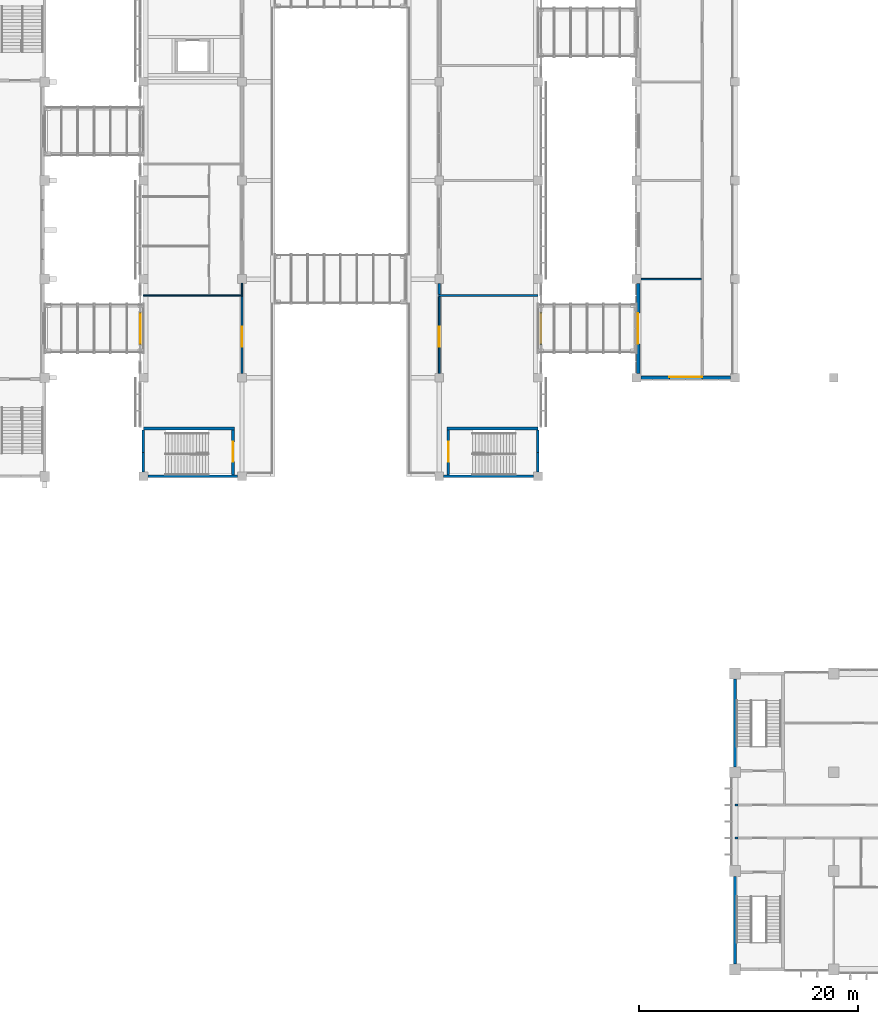
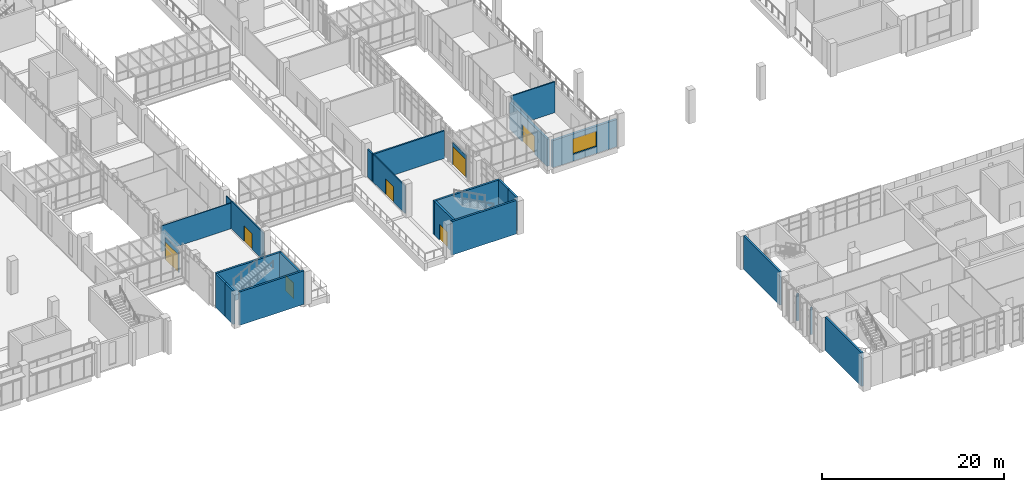
# One storey, part 58 of 88: 25 walls, 7 doors, 1 window, 8 openings.
"""IFC4 building model written with IfcOpenShell, lengths in metres."""

from ifc_helpers import new_model, si_unit, direction, frame, frame_2d, origin, place, context, subcontext, project, spatial, rectangle, extrude, material, layer, layer_set, type_object, element, fill, save


model = new_model("IFC4")

# Units and contexts
model_context = context("Model", 3, precision=1e-05, world=origin(), true_north=direction((0.0, 1.0)))
body_context = subcontext(model_context, "Body", "Model", "MODEL_VIEW")
ifc_project = project(units=[si_unit("LENGTHUNIT", "METRE"), si_unit("AREAUNIT", "SQUARE_METRE"), si_unit("VOLUMEUNIT", "CUBIC_METRE"), si_unit("PLANEANGLEUNIT", "RADIAN"), si_unit("MASSUNIT", "GRAM", prefix="KILO")], contexts=[model_context])

# Site, building, storey
site_placement = place(None, origin())
site = spatial("IfcSite", under=ifc_project, at=site_placement, CompositionType="ELEMENT")
building_placement = place(site_placement, origin())
building = spatial("IfcBuilding", under=site, at=building_placement, Name="Guidao Yard Department Store", CompositionType="ELEMENT")
storey_placement = place(building_placement, frame((0.0, 0.0, 6.0)))
storey = spatial("IfcBuildingStorey", under=building, at=storey_placement, Name="L01", CompositionType="ELEMENT", Elevation=6.0)

# Wall, opening, window
ifc_material_1 = material(Name="Concrete C30", Category="concrete")
ifc_layer_1 = layer(ifc_material_1, 0.300048828125)
ifc_layer_set_1 = layer_set([ifc_layer_1], Name="Food hall wall 300 C30")
wall_type_1 = type_object("IfcWallType", Name="Food hall wall 300 C30", PredefinedType="SOLIDWALL", material=ifc_layer_set_1)
wall_1_placement = place(storey_placement, frame((125.60009765625, 54.0, 0.0), z_axis=(0.0, 0.0, 1.0), x_axis=(-1.0, 0.0, 0.0)))
wall_1 = element("IfcWall", 1, at=wall_1_placement, inside=storey, type_object=wall_type_1, Name="Food hall wall", PredefinedType="SOLIDWALL", context=body_context, shape_type="SweptSolid", body=[
    extrude(rectangle(XDim=8.2001953125, YDim=0.300048828125, at=frame_2d((4.10009765625, 0.0))), origin(), (0.0, 0.0, 1.0), 3.64990234375),
])
opening_1_placement = place(wall_1_placement, frame((2.60009765625, 0.0, 0.89990234375)))
opening_1 = element("IfcOpeningElement", 2, at=opening_1_placement, cuts=wall_1, Name="Opening WN-L01-E23", PredefinedType="OPENING", context=body_context, shape_type="SweptSolid", body=[
    extrude(rectangle(XDim=3.0, YDim=2.10009765625, at=frame_2d((1.5, 1.050048828125))), frame((0.0, 0.159912109375, 0.0), z_axis=(0.0, -1.0, 0.0), x_axis=(1.0, 0.0, 0.0)), (0.0, 0.0, 1.0), 0.320068359375),
])
ifc_material_2 = material(Name="Laminated glass in aluminium frame", Category="aluminium")
window_type = type_object("IfcWindowType", Name="Punched window PW2 3000 x 2100 fixed", PartitioningType="SINGLE_PANEL", PredefinedType="WINDOW", material=ifc_material_2)
window_placement = place(opening_1_placement, origin())
window = element("IfcWindow", 3, at=window_placement, inside=storey, type_object=window_type, Name="Punched window", OverallHeight=2.10009765625, OverallWidth=3.0, PartitioningType="SINGLE_PANEL", PredefinedType="WINDOW", context=body_context, shape_type="SweptSolid", body=[
    extrude(rectangle(XDim=3.0, YDim=2.10009765625, at=frame_2d((1.5, 1.050048828125))), frame((0.0, -0.030029296875, 0.0), z_axis=(0.0, -1.0, 0.0), x_axis=(1.0, 0.0, 0.0)), (0.0, 0.0, 1.0), 0.06005859375),
])
fill(opening_1, window)

# Wall, opening, door
wall_2_placement = place(storey_placement, frame((117.14990234375, 54.39990234375, 0.0), z_axis=(0.0, 0.0, 1.0), x_axis=(0.0, 1.0, 0.0)))
wall_2 = element("IfcWall", 4, at=wall_2_placement, inside=storey, type_object=wall_type_1, Name="Food hall wall", PredefinedType="SOLIDWALL", context=body_context, shape_type="SweptSolid", body=[
    extrude(rectangle(XDim=8.2001953125, YDim=0.300048828125, at=frame_2d((4.10009765625, 0.0))), origin(), (0.0, 0.0, 1.0), 3.64990234375),
])
opening_2_placement = place(wall_2_placement, frame((2.699951171875, 0.0, 0.0)))
opening_2 = element("IfcOpeningElement", 5, at=opening_2_placement, cuts=wall_2, Name="Opening L01-856", PredefinedType="OPENING", context=body_context, shape_type="SweptSolid", body=[
    extrude(rectangle(XDim=2.800048828125, YDim=2.39990234375, at=frame_2d((1.39990234375, 1.199951171875))), frame((0.0, 0.159912109375, 0.0), z_axis=(0.0, -1.0, 0.0), x_axis=(1.0, 0.0, 0.0)), (0.0, 0.0, 1.0), 0.320068359375),
])
ifc_material_3 = material(Name="Fire-resistant glass in steel frame", Category="steel")
door_type_1 = type_object("IfcDoorType", Name="Bridge door BD1 2800 x 2400 fire-rated glazed double leaf", OperationType="DOUBLE_DOOR_SINGLE_SWING", PredefinedType="DOOR", material=ifc_material_3)
door_1_placement = place(opening_2_placement, origin())
door_1 = element("IfcDoor", 6, at=door_1_placement, inside=storey, type_object=door_type_1, Name="Bridge door BR06", OperationType="DOUBLE_DOOR_SINGLE_SWING", OverallHeight=2.39990234375, OverallWidth=2.800048828125, PredefinedType="DOOR", context=body_context, shape_type="SweptSolid", body=[
    extrude(rectangle(XDim=2.800048828125, YDim=2.39990234375, at=frame_2d((1.39990234375, 1.199951171875))), frame((0.0, 0.02490234375, 0.0), z_axis=(0.0, -1.0, 0.0), x_axis=(1.0, 0.0, 0.0)), (0.0, 0.0, 1.0), 0.050048828125),
])
fill(opening_2, door_1)

ifc_material_4 = material(Name="Aluminium 6063-T5", Category="aluminium")
ifc_layer_2 = layer(ifc_material_4, 0.1201171875)
ifc_layer_set_2 = layer_set([ifc_layer_2], Name="Glazing frame wall 120")
wall_type_2 = type_object("IfcWallType", Name="Glazing frame wall 120", PredefinedType="STANDARD", material=ifc_layer_set_2)
wall_3_placement = place(storey_placement, frame((71.719970703125, 57.030029296875, 0.0), z_axis=(0.0, 0.0, 1.0), x_axis=(0.0, 1.0, 0.0)))
wall_3 = element("IfcWall", 7, at=wall_3_placement, inside=storey, type_object=wall_type_2, Name="Frame wall for Bridge door BR01", PredefinedType="STANDARD", context=body_context, shape_type="SweptSolid", body=[
    extrude(rectangle(XDim=2.93994140625, YDim=0.1201171875, at=frame_2d((1.469970703125, 0.0))), origin(), (0.0, 0.0, 1.0), 2.969970703125),
])
opening_3_placement = place(wall_3_placement, frame((0.070068359375, 0.0, 0.0)))
opening_3 = element("IfcOpeningElement", 8, at=opening_3_placement, cuts=wall_3, Name="Opening L01-852", PredefinedType="OPENING", context=body_context, shape_type="SweptSolid", body=[
    extrude(rectangle(XDim=2.800048828125, YDim=2.39990234375, at=frame_2d((1.39990234375, 1.199951171875))), frame((0.0, 0.070068359375, 0.0), z_axis=(0.0, -1.0, 0.0), x_axis=(1.0, 0.0, 0.0)), (0.0, 0.0, 1.0), 0.14013671875),
])
door_2_placement = place(opening_3_placement, origin())
door_2 = element("IfcDoor", 9, at=door_2_placement, inside=storey, type_object=door_type_1, Name="Bridge door BR01", OperationType="DOUBLE_DOOR_SINGLE_SWING", OverallHeight=2.39990234375, OverallWidth=2.800048828125, PredefinedType="DOOR", context=body_context, shape_type="SweptSolid", body=[
    extrude(rectangle(XDim=2.800048828125, YDim=2.39990234375, at=frame_2d((1.39990234375, 1.199951171875))), frame((0.0, 0.02490234375, 0.0), z_axis=(0.0, -1.0, 0.0), x_axis=(1.0, 0.0, 0.0)), (0.0, 0.0, 1.0), 0.050048828125),
])
fill(opening_3, door_2)

wall_4_placement = place(storey_placement, frame((108.280029296875, 59.969970703125, 0.0), z_axis=(0.0, 0.0, 1.0), x_axis=(0.0, -1.0, 0.0)))
wall_4 = element("IfcWall", 10, at=wall_4_placement, inside=storey, type_object=wall_type_2, Name="Frame wall for Bridge door BR06", PredefinedType="STANDARD", context=body_context, shape_type="SweptSolid", body=[
    extrude(rectangle(XDim=2.93994140625, YDim=0.1201171875, at=frame_2d((1.469970703125, 0.0))), origin(), (0.0, 0.0, 1.0), 2.969970703125),
])
opening_4_placement = place(wall_4_placement, frame((0.070068359375, 0.0, 0.0)))
opening_4 = element("IfcOpeningElement", 11, at=opening_4_placement, cuts=wall_4, Name="Opening L01-854", PredefinedType="OPENING", context=body_context, shape_type="SweptSolid", body=[
    extrude(rectangle(XDim=2.800048828125, YDim=2.39990234375, at=frame_2d((1.39990234375, 1.199951171875))), frame((0.0, 0.070068359375, 0.0), z_axis=(0.0, -1.0, 0.0), x_axis=(1.0, 0.0, 0.0)), (0.0, 0.0, 1.0), 0.14013671875),
])
door_3_placement = place(opening_4_placement, origin())
door_3 = element("IfcDoor", 12, at=door_3_placement, inside=storey, type_object=door_type_1, Name="Bridge door BR06", OperationType="DOUBLE_DOOR_SINGLE_SWING", OverallHeight=2.39990234375, OverallWidth=2.800048828125, PredefinedType="DOOR", context=body_context, shape_type="SweptSolid", body=[
    extrude(rectangle(XDim=2.800048828125, YDim=2.39990234375, at=frame_2d((1.39990234375, 1.199951171875))), frame((0.0, 0.02490234375, 0.0), z_axis=(0.0, -1.0, 0.0), x_axis=(1.0, 0.0, 0.0)), (0.0, 0.0, 1.0), 0.050048828125),
])
fill(opening_4, door_3)

# Walls
ifc_material_5 = material(Name="Gypsum board on Steel Q235 studs", Category="steel")
ifc_layer_3 = layer(ifc_material_5, 0.10009765625)
ifc_layer_set_3 = layer_set([ifc_layer_3], Name="Partition P1 100 mm gypsum board EI 30")
wall_type_3 = type_object("IfcWallType", Name="Partition P1 100 mm gypsum board EI 30", PredefinedType="PARTITIONING", material=ifc_layer_set_3)
wall_5_placement = place(storey_placement, frame((72.0, 61.5, 0.0), z_axis=(0.0, 0.0, 1.0), x_axis=(1.0, 0.0, 0.0)))
element("IfcWall", 13, at=wall_5_placement, inside=storey, type_object=wall_type_3, Name="Wall W-AL01-004", PredefinedType="PARTITIONING", context=body_context, shape_type="SweptSolid", body=[
    extrude(rectangle(XDim=9.074951171875, YDim=0.10009765625, at=frame_2d((4.53759765625, 0.0))), origin(), (0.0, 0.0, 1.0), 3.449951171875),
])
wall_6_placement = place(storey_placement, frame((81.0, 61.550048828125, 0.0), z_axis=(0.0, 0.0, 1.0), x_axis=(0.0, 1.0, 0.0)))
element("IfcWall", 14, at=wall_6_placement, inside=storey, type_object=wall_type_3, Name="Wall W-AL01-006", PredefinedType="PARTITIONING", context=body_context, shape_type="SweptSolid", body=[
    extrude(rectangle(XDim=1.050048828125, YDim=0.10009765625, at=frame_2d((0.52490234375, 0.0))), origin(), (0.0, 0.0, 1.0), 3.699951171875),
])
ifc_material_6 = material(Name="Autoclaved aerated concrete block A3.5 B06", Category="concrete")
ifc_layer_4 = layer(ifc_material_6, 0.199951171875)
ifc_layer_set_4 = layer_set([ifc_layer_4], Name="Shaft Wall 200 Autoclaved Block EI 120")
wall_type_4 = type_object("IfcWallType", Name="Shaft Wall 200 Autoclaved Block EI 120", PredefinedType="PARTITIONING", material=ifc_layer_set_4)
for number, where, z_axis, x_axis, name in (
    (15, (126.0, 12.0, 0.0), (0.0, 0.0, 1.0), (1.0, 0.0, 0.0), "pt.wall.L01.0006"),
    (16, (126.0, 15.0, 0.0), (0.0, 0.0, 1.0), (1.0, 0.0, 0.0), "pt.wall.L01.0009"),
):
    element("IfcWall", number, at=place(storey_placement, frame(where, z_axis=z_axis, x_axis=x_axis)), inside=storey, type_object=wall_type_4, Name=name, PredefinedType="PARTITIONING", context=body_context, shape_type="SweptSolid", body=[
        extrude(rectangle(XDim=0.25, YDim=0.199951171875, at=frame_2d((0.125, 0.0))), origin(), (0.0, 0.0, 1.0), 3.60009765625),
    ])
ifc_material_7 = material(Name="Concrete block MU10", Category="concrete")
ifc_layer_5 = layer(ifc_material_7, 0.199951171875)
ifc_layer_set_5 = layer_set([ifc_layer_5], Name="Shopfront Wall P4 200 mm blockwork EI 60")
wall_type_5 = type_object("IfcWallType", Name="Shopfront Wall P4 200 mm blockwork EI 60", PredefinedType="PARTITIONING", material=ifc_layer_set_5)
wall_7_placement = place(storey_placement, frame((98.925048828125, 61.5, 0.0), z_axis=(0.0, 0.0, 1.0), x_axis=(1.0, 0.0, 0.0)))
element("IfcWall", 17, at=wall_7_placement, inside=storey, type_object=wall_type_5, Name="Wall W-AL01-003", PredefinedType="PARTITIONING", context=body_context, shape_type="SweptSolid", body=[
    extrude(rectangle(XDim=9.074951171875, YDim=0.199951171875, at=frame_2d((4.53759765625, 0.0))), origin(), (0.0, 0.0, 1.0), 3.699951171875),
])
wall_8_placement = place(storey_placement, frame((99.0, 61.60009765625, 0.0), z_axis=(0.0, 0.0, 1.0), x_axis=(0.0, 1.0, 0.0)))
element("IfcWall", 18, at=wall_8_placement, inside=storey, type_object=wall_type_5, Name="Wall W-AL01-007", PredefinedType="PARTITIONING", context=body_context, shape_type="SweptSolid", body=[
    extrude(rectangle(XDim=1.0, YDim=0.199951171875, at=frame_2d((0.5, 0.0))), origin(), (0.0, 0.0, 1.0), 3.699951171875),
])
ifc_material_8 = material(Name="Concrete block MU10", Category="concrete")
ifc_layer_6 = layer(ifc_material_8, 0.14990234375)
ifc_layer_set_6 = layer_set([ifc_layer_6], Name="Wall F2 150 mm blockwork EI 60")
wall_type_6 = type_object("IfcWallType", Name="Wall F2 150 mm blockwork EI 60", PredefinedType="PARTITIONING", material=ifc_layer_set_6)
wall_9_placement = place(storey_placement, frame((117.39990234375, 63.0, 0.0), z_axis=(0.0, 0.0, 1.0), x_axis=(1.0, 0.0, 0.0)))
element("IfcWall", 19, at=wall_9_placement, inside=storey, type_object=wall_type_6, Name="Wall W-L01-3003", PredefinedType="PARTITIONING", context=body_context, shape_type="SweptSolid", body=[
    extrude(rectangle(XDim=5.525146484375, YDim=0.14990234375, at=frame_2d((2.7626953125, 0.0))), origin(), (0.0, 0.0, 1.0), 4.14990234375),
])

# Wall, opening, door
ifc_material_9 = material(Name="Concrete block MU10", Category="concrete")
ifc_layer_7 = layer(ifc_material_9, 0.14990234375)
ifc_layer_set_7 = layer_set([ifc_layer_7], Name="Wall P2 150 mm blockwork EI 60")
wall_type_7 = type_object("IfcWallType", Name="Wall P2 150 mm blockwork EI 60", PredefinedType="PARTITIONING", material=ifc_layer_set_7)
wall_10_placement = place(storey_placement, frame((81.0, 54.39990234375, 0.0), z_axis=(0.0, 0.0, 1.0), x_axis=(0.0, 1.0, 0.0)))
wall_10 = element("IfcWall", 20, at=wall_10_placement, inside=storey, type_object=wall_type_7, Name="Wall W-AL01-001", PredefinedType="PARTITIONING", context=body_context, shape_type="SweptSolid", body=[
    extrude(rectangle(XDim=7.050048828125, YDim=0.14990234375, at=frame_2d((3.52490234375, 0.0))), origin(), (0.0, 0.0, 1.0), 3.699951171875),
])
opening_5_placement = place(wall_10_placement, frame((2.449951171875, 0.0, 0.0)))
opening_5 = element("IfcOpeningElement", 21, at=opening_5_placement, cuts=wall_10, Name="Opening AL01-001", PredefinedType="OPENING", context=body_context, shape_type="SweptSolid", body=[
    extrude(rectangle(XDim=1.800048828125, YDim=2.10009765625, at=frame_2d((0.89990234375, 1.050048828125))), frame((0.0, 0.0849609375, 0.0), z_axis=(0.0, -1.0, 0.0), x_axis=(1.0, 0.0, 0.0)), (0.0, 0.0, 1.0), 0.169921875),
])
ifc_material_10 = material(Name="Steel Q235", Category="steel")
door_type_2 = type_object("IfcDoorType", Name="Door FD5 double 1800 x 2100 FD60", OperationType="DOUBLE_DOOR_SINGLE_SWING", PredefinedType="DOOR", material=ifc_material_10)
door_4_placement = place(opening_5_placement, origin())
door_4 = element("IfcDoor", 22, at=door_4_placement, inside=storey, type_object=door_type_2, Name="Door AL01-001", OperationType="DOUBLE_DOOR_SINGLE_SWING", OverallHeight=2.10009765625, OverallWidth=1.800048828125, PredefinedType="DOOR", context=body_context, shape_type="SweptSolid", body=[
    extrude(rectangle(XDim=1.800048828125, YDim=2.10009765625, at=frame_2d((0.89990234375, 1.050048828125))), frame((0.0, 0.02490234375, 0.0), z_axis=(0.0, -1.0, 0.0), x_axis=(1.0, 0.0, 0.0)), (0.0, 0.0, 1.0), 0.050048828125),
])
fill(opening_5, door_4)

wall_11_placement = place(storey_placement, frame((99.0, 54.39990234375, 0.0), z_axis=(0.0, 0.0, 1.0), x_axis=(0.0, 1.0, 0.0)))
wall_11 = element("IfcWall", 23, at=wall_11_placement, inside=storey, type_object=wall_type_7, Name="Wall W-AL01-002", PredefinedType="PARTITIONING", context=body_context, shape_type="SweptSolid", body=[
    extrude(rectangle(XDim=7.0, YDim=0.14990234375, at=frame_2d((3.5, 0.0))), origin(), (0.0, 0.0, 1.0), 3.699951171875),
])
opening_6_placement = place(wall_11_placement, frame((4.25, 0.0, 0.0), z_axis=(0.0, 0.0, 1.0), x_axis=(-1.0, 0.0, 0.0)))
opening_6 = element("IfcOpeningElement", 24, at=opening_6_placement, cuts=wall_11, Name="Opening AL01-002", PredefinedType="OPENING", context=body_context, shape_type="SweptSolid", body=[
    extrude(rectangle(XDim=1.800048828125, YDim=2.10009765625, at=frame_2d((0.89990234375, 1.050048828125))), frame((0.0, 0.0849609375, 0.0), z_axis=(0.0, -1.0, 0.0), x_axis=(1.0, 0.0, 0.0)), (0.0, 0.0, 1.0), 0.169921875),
])
door_5_placement = place(opening_6_placement, origin())
door_5 = element("IfcDoor", 25, at=door_5_placement, inside=storey, type_object=door_type_2, Name="Door AL01-002", OperationType="DOUBLE_DOOR_SINGLE_SWING", OverallHeight=2.10009765625, OverallWidth=1.800048828125, PredefinedType="DOOR", context=body_context, shape_type="SweptSolid", body=[
    extrude(rectangle(XDim=1.800048828125, YDim=2.10009765625, at=frame_2d((0.89990234375, 1.050048828125))), frame((0.0, 0.02490234375, 0.0), z_axis=(0.0, -1.0, 0.0), x_axis=(1.0, 0.0, 0.0)), (0.0, 0.0, 1.0), 0.050048828125),
])
fill(opening_6, door_5)

# Walls
ifc_material_11 = material(Name="Concrete C40", Category="concrete")
ifc_layer_8 = layer(ifc_material_11, 0.25)
ifc_layer_set_8 = layer_set([ifc_layer_8], Name="Wall RC 250 C40 stair and shaft")
wall_type_8 = type_object("IfcWallType", Name="Wall RC 250 C40 stair and shaft", PredefinedType="SHEAR", material=ifc_layer_set_8)
wall_12_placement = place(storey_placement, frame((72.39990234375, 45.0, 0.0), z_axis=(0.0, 0.0, 1.0), x_axis=(1.0, 0.0, 0.0)))
element("IfcWall", 26, at=wall_12_placement, inside=storey, type_object=wall_type_8, Name="Stair wall SG1", PredefinedType="SHEAR", context=body_context, shape_type="SweptSolid", body=[
    extrude(rectangle(XDim=8.2001953125, YDim=0.25, at=frame_2d((4.10009765625, 0.0))), origin(), (0.0, 0.0, 1.0), 4.5),
])
wall_13_placement = place(storey_placement, frame((72.0, 49.375, 0.0), z_axis=(0.0, 0.0, 1.0), x_axis=(1.0, 0.0, 0.0)))
element("IfcWall", 27, at=wall_13_placement, inside=storey, type_object=wall_type_8, Name="Stair wall SG1", PredefinedType="SHEAR", context=body_context, shape_type="SweptSolid", body=[
    extrude(rectangle(XDim=8.300048828125, YDim=0.25, at=frame_2d((4.14990234375, 0.0))), origin(), (0.0, 0.0, 1.0), 4.5),
])
wall_14_placement = place(storey_placement, frame((72.0, 45.39990234375, 0.0), z_axis=(0.0, 0.0, 1.0), x_axis=(0.0, 1.0, 0.0)))
element("IfcWall", 28, at=wall_14_placement, inside=storey, type_object=wall_type_8, Name="Stair wall SG1", PredefinedType="SHEAR", context=body_context, shape_type="SweptSolid", body=[
    extrude(rectangle(XDim=1.7880859375, YDim=0.25, at=frame_2d((0.89404296875, 0.0))), origin(), (0.0, 0.0, 1.0), 4.5),
])
wall_15_placement = place(storey_placement, frame((72.0, 47.18798828125, 0.0), z_axis=(0.0, 0.0, 1.0), x_axis=(0.0, 1.0, 0.0)))
element("IfcWall", 29, at=wall_15_placement, inside=storey, type_object=wall_type_8, Name="Stair wall SG1", PredefinedType="SHEAR", context=body_context, shape_type="SweptSolid", body=[
    extrude(rectangle(XDim=2.06201171875, YDim=0.25, at=frame_2d((1.031005859375, 0.0))), origin(), (0.0, 0.0, 1.0), 4.5),
])

# Wall, opening, door
wall_16_placement = place(storey_placement, frame((80.175048828125, 45.125, 0.0), z_axis=(0.0, 0.0, 1.0), x_axis=(0.0, 1.0, 0.0)))
wall_16 = element("IfcWall", 30, at=wall_16_placement, inside=storey, type_object=wall_type_8, Name="Stair wall SG1", PredefinedType="SHEAR", context=body_context, shape_type="SweptSolid", body=[
    extrude(rectangle(XDim=4.125, YDim=0.25, at=frame_2d((2.0625, 0.0))), origin(), (0.0, 0.0, 1.0), 4.5),
])
opening_7_placement = place(wall_16_placement, frame((3.025146484375, 0.0, 0.0), z_axis=(0.0, 0.0, 1.0), x_axis=(-1.0, 0.0, 0.0)))
opening_7 = element("IfcOpeningElement", 31, at=opening_7_placement, cuts=wall_16, Name="Opening L01-811", PredefinedType="OPENING", context=body_context, shape_type="SweptSolid", body=[
    extrude(rectangle(XDim=1.800048828125, YDim=2.10009765625, at=frame_2d((0.89990234375, 1.050048828125))), frame((0.0, 0.135009765625, 0.0), z_axis=(0.0, -1.0, 0.0), x_axis=(1.0, 0.0, 0.0)), (0.0, 0.0, 1.0), 0.27001953125),
])
ifc_material_12 = material(Name="Steel Q235", Category="steel")
door_type_3 = type_object("IfcDoorType", Name="Door fire-resisting 1800 x 2100 FD60", OperationType="DOUBLE_DOOR_SINGLE_SWING", PredefinedType="DOOR", material=ifc_material_12)
door_6_placement = place(opening_7_placement, origin())
door_6 = element("IfcDoor", 32, at=door_6_placement, inside=storey, type_object=door_type_3, Name="Stair G1 door L01", OperationType="DOUBLE_DOOR_SINGLE_SWING", OverallHeight=2.10009765625, OverallWidth=1.800048828125, PredefinedType="DOOR", context=body_context, shape_type="SweptSolid", body=[
    extrude(rectangle(XDim=1.800048828125, YDim=2.10009765625, at=frame_2d((0.89990234375, 1.050048828125))), frame((0.0, 0.02490234375, 0.0), z_axis=(0.0, -1.0, 0.0), x_axis=(1.0, 0.0, 0.0)), (0.0, 0.0, 1.0), 0.050048828125),
])
fill(opening_7, door_6)

# Walls
wall_17_placement = place(storey_placement, frame((99.39990234375, 45.0, 0.0), z_axis=(0.0, 0.0, 1.0), x_axis=(1.0, 0.0, 0.0)))
element("IfcWall", 33, at=wall_17_placement, inside=storey, type_object=wall_type_8, Name="Stair wall SG3", PredefinedType="SHEAR", context=body_context, shape_type="SweptSolid", body=[
    extrude(rectangle(XDim=8.2001953125, YDim=0.25, at=frame_2d((4.10009765625, 0.0))), origin(), (0.0, 0.0, 1.0), 4.5),
])
wall_18_placement = place(storey_placement, frame((99.699951171875, 49.375, 0.0), z_axis=(0.0, 0.0, 1.0), x_axis=(1.0, 0.0, 0.0)))
element("IfcWall", 34, at=wall_18_placement, inside=storey, type_object=wall_type_8, Name="Stair wall SG3", PredefinedType="SHEAR", context=body_context, shape_type="SweptSolid", body=[
    extrude(rectangle(XDim=8.300048828125, YDim=0.25, at=frame_2d((4.14990234375, 0.0))), origin(), (0.0, 0.0, 1.0), 4.5),
])

# Wall, opening, door
wall_19_placement = place(storey_placement, frame((99.824951171875, 45.125, 0.0), z_axis=(0.0, 0.0, 1.0), x_axis=(0.0, 1.0, 0.0)))
wall_19 = element("IfcWall", 35, at=wall_19_placement, inside=storey, type_object=wall_type_8, Name="Stair wall SG3", PredefinedType="SHEAR", context=body_context, shape_type="SweptSolid", body=[
    extrude(rectangle(XDim=4.125, YDim=0.25, at=frame_2d((2.0625, 0.0))), origin(), (0.0, 0.0, 1.0), 4.5),
])
opening_8_placement = place(wall_19_placement, frame((1.22509765625, 0.0, 0.0)))
opening_8 = element("IfcOpeningElement", 36, at=opening_8_placement, cuts=wall_19, Name="Opening L01-813", PredefinedType="OPENING", context=body_context, shape_type="SweptSolid", body=[
    extrude(rectangle(XDim=1.800048828125, YDim=2.10009765625, at=frame_2d((0.89990234375, 1.050048828125))), frame((0.0, 0.135009765625, 0.0), z_axis=(0.0, -1.0, 0.0), x_axis=(1.0, 0.0, 0.0)), (0.0, 0.0, 1.0), 0.27001953125),
])
door_7_placement = place(opening_8_placement, origin())
door_7 = element("IfcDoor", 37, at=door_7_placement, inside=storey, type_object=door_type_3, Name="Stair G3 door L01", OperationType="DOUBLE_DOOR_SINGLE_SWING", OverallHeight=2.10009765625, OverallWidth=1.800048828125, PredefinedType="DOOR", context=body_context, shape_type="SweptSolid", body=[
    extrude(rectangle(XDim=1.800048828125, YDim=2.10009765625, at=frame_2d((0.89990234375, 1.050048828125))), frame((0.0, 0.02490234375, 0.0), z_axis=(0.0, -1.0, 0.0), x_axis=(1.0, 0.0, 0.0)), (0.0, 0.0, 1.0), 0.050048828125),
])
fill(opening_8, door_7)

# Walls
wall_20_placement = place(storey_placement, frame((108.0, 45.39990234375, 0.0), z_axis=(0.0, 0.0, 1.0), x_axis=(0.0, 1.0, 0.0)))
element("IfcWall", 38, at=wall_20_placement, inside=storey, type_object=wall_type_8, Name="Stair wall SG3", PredefinedType="SHEAR", context=body_context, shape_type="SweptSolid", body=[
    extrude(rectangle(XDim=1.7880859375, YDim=0.25, at=frame_2d((0.89404296875, 0.0))), origin(), (0.0, 0.0, 1.0), 4.5),
])
wall_21_placement = place(storey_placement, frame((108.0, 47.18798828125, 0.0), z_axis=(0.0, 0.0, 1.0), x_axis=(0.0, 1.0, 0.0)))
element("IfcWall", 39, at=wall_21_placement, inside=storey, type_object=wall_type_8, Name="Stair wall SG3", PredefinedType="SHEAR", context=body_context, shape_type="SweptSolid", body=[
    extrude(rectangle(XDim=2.06201171875, YDim=0.25, at=frame_2d((1.031005859375, 0.0))), origin(), (0.0, 0.0, 1.0), 4.5),
])
for number, where, z_axis, x_axis, name in (
    (40, (126.0, 0.5, 0.0), (0.0, 0.0, 1.0), (0.0, 1.0, 0.0), "Stair wall SO1"),
    (41, (126.0, 18.5, 0.0), (0.0, 0.0, 1.0), (0.0, 1.0, 0.0), "Stair wall SO3"),
):
    element("IfcWall", number, at=place(storey_placement, frame(where, z_axis=z_axis, x_axis=x_axis)), inside=storey, type_object=wall_type_8, Name=name, PredefinedType="SHEAR", context=body_context, shape_type="SweptSolid", body=[
        extrude(rectangle(XDim=8.0, YDim=0.25, at=frame_2d((4.0, 0.0))), origin(), (0.0, 0.0, 1.0), 4.5),
    ])

save(model, "model.ifc")
